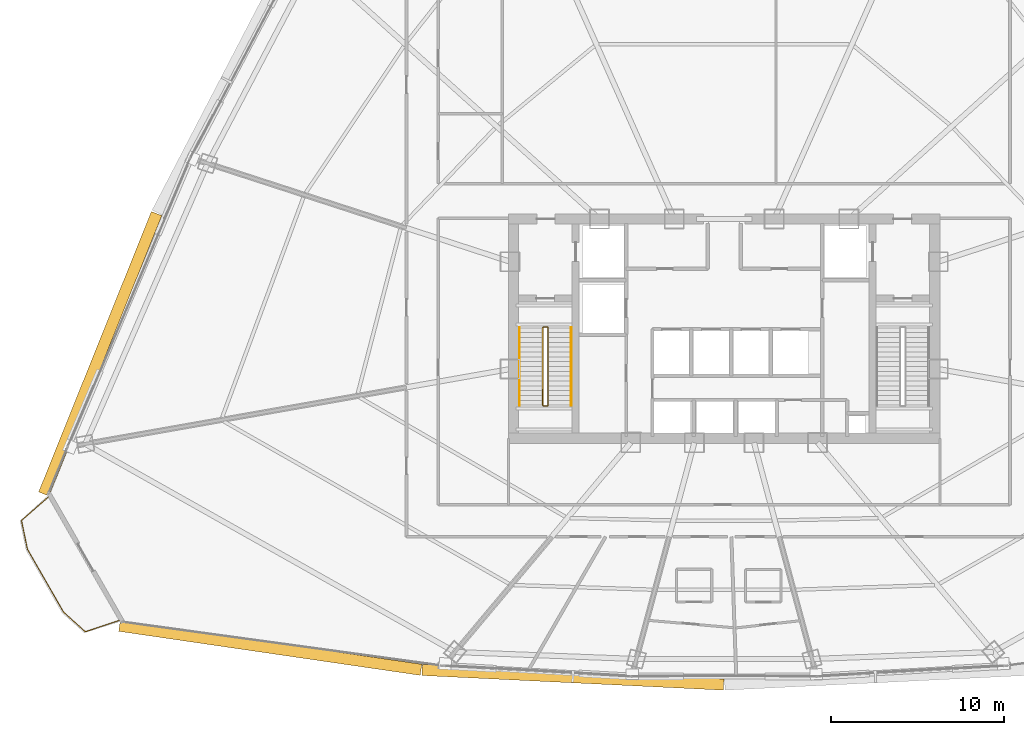
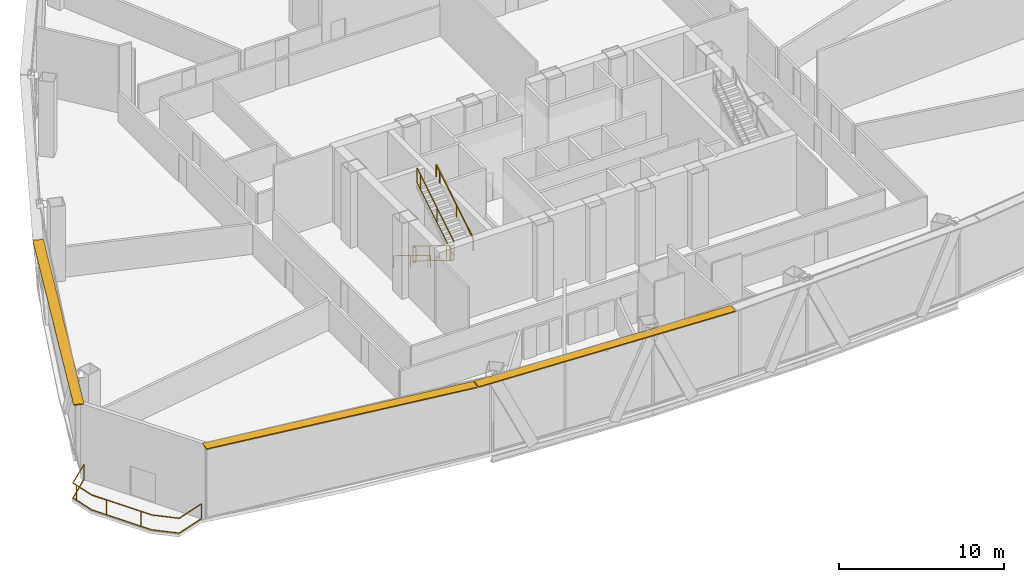
# One storey, part 37 of 40: 7 railings, 3 shading devices.
"""IFC4 building model written with IfcOpenShell, lengths in metres."""

from ifc_helpers import new_model, si_unit, direction, frame, origin, origin_2d, place, context, subcontext, project, spatial, rectangle, extrude, source, transform, mapped, material, layer, layer_set, type_object, element, save


model = new_model("IFC4")

# Units and contexts
model_context = context("Model", 3, precision=1e-05, world=origin(), true_north=direction((0.0, 1.0)))
body_context = subcontext(model_context, "Body", "Model", "MODEL_VIEW")
ifc_project = project(units=[si_unit("LENGTHUNIT", "METRE"), si_unit("AREAUNIT", "SQUARE_METRE"), si_unit("VOLUMEUNIT", "CUBIC_METRE"), si_unit("PLANEANGLEUNIT", "RADIAN"), si_unit("MASSUNIT", "GRAM", prefix="KILO"), si_unit("THERMODYNAMICTEMPERATUREUNIT", "KELVIN"), si_unit("POWERUNIT", "WATT")], contexts=[model_context])

# Site, building, storey
site_placement = place(None, origin())
site = spatial("IfcSite", under=ifc_project, at=site_placement, CompositionType="ELEMENT")
building_placement = place(site_placement, origin())
building = spatial("IfcBuilding", under=site, at=building_placement, Name="Yunzhuo Pagoda Commons", CompositionType="ELEMENT")
storey_placement = place(building_placement, frame((0.0, 0.0, 170.31005859375)))
storey = spatial("IfcBuildingStorey", under=building, at=storey_placement, Name="L43", CompositionType="ELEMENT", Elevation=170.31005859375)

# Railings
ifc_material = material(Name="Anodized aluminium 6063-T6", Category="aluminium")
railing_type_1 = type_object("IfcRailingType", Name="GR-ST1 Stair Well Guardrail 1150", PredefinedType="GUARDRAIL", material=ifc_material)
railing_1_placement = place(storey_placement, frame((37.5, 33.89990234375, 0.172119140625)))
element("IfcRailing", 1, at=railing_1_placement, inside=storey, type_object=railing_type_1, Name="L43 ST1 stair guard 1", PredefinedType="GUARDRAIL", context=body_context, shape_type="SweptSolid", body=[
    extrude(rectangle(XDim=0.048095703125, YDim=0.048095703125, at=origin_2d()), frame((0.0, 0.0, 1.1259765625), z_axis=(0.0, -0.851996104429, 0.523548123899), x_axis=(1.0, 0.0, 0.0)), (0.0, 0.0, 1.0), 5.25830078125),
    extrude(rectangle(XDim=0.048095703125, YDim=0.048095703125, at=origin_2d()), frame((0.0, 0.0, 0.02392578125), z_axis=(0.0, -0.851996104429, 0.523548123899), x_axis=(1.0, 0.0, 0.0)), (0.0, 0.0, 1.0), 5.25830078125),
    extrude(rectangle(XDim=0.0419921875, YDim=0.0419921875, at=origin_2d()), origin(), (0.0, 0.0, 1.0), 1.101806640625),
    extrude(rectangle(XDim=0.0419921875, YDim=0.0419921875, at=origin_2d()), frame((0.0, -2.044677734375, 1.256591796875)), (0.0, 0.0, 1.0), 1.101806640625),
    extrude(rectangle(XDim=0.0419921875, YDim=0.0419921875, at=origin_2d()), frame((0.0, -4.089599609375, 2.512939453125)), (0.0, 0.0, 1.0), 1.101806640625),
    extrude(rectangle(XDim=0.0419921875, YDim=0.0419921875, at=origin_2d()), frame((0.0, -4.47998046875, 2.7529296875)), (0.0, 0.0, 1.0), 1.101806640625),
])
railing_2_placement = place(storey_placement, frame((37.550048828125, 29.3701171875, 2.925048828125)))
element("IfcRailing", 2, at=railing_2_placement, inside=storey, type_object=railing_type_1, Name="L43 ST1 stair guard 2", PredefinedType="GUARDRAIL", context=body_context, shape_type="SweptSolid", body=[
    extrude(rectangle(XDim=0.048095703125, YDim=0.048095703125, at=origin_2d()), frame((0.0, 0.0, 1.1259765625), z_axis=(1.0, 0.0, 0.0), x_axis=(0.0, 1.0, 0.0)), (0.0, 0.0, 1.0), 0.199951171875),
    extrude(rectangle(XDim=0.048095703125, YDim=0.048095703125, at=origin_2d()), frame((0.0, 0.0, 0.02392578125), z_axis=(1.0, 0.0, 0.0), x_axis=(0.0, 1.0, 0.0)), (0.0, 0.0, 1.0), 0.199951171875),
    extrude(rectangle(XDim=0.0419921875, YDim=0.0419921875, at=origin_2d()), origin(), (0.0, 0.0, 1.0), 1.101806640625),
    extrude(rectangle(XDim=0.0419921875, YDim=0.0419921875, at=origin_2d()), frame((0.199951171875, 0.0, 0.0)), (0.0, 0.0, 1.0), 1.101806640625),
])
railing_3_placement = place(storey_placement, frame((37.800048828125, 29.419921875, 3.096923828125)))
element("IfcRailing", 3, at=railing_3_placement, inside=storey, type_object=railing_type_1, Name="L43 ST1 stair guard 3", PredefinedType="GUARDRAIL", context=body_context, shape_type="SweptSolid", body=[
    extrude(rectangle(XDim=0.048095703125, YDim=0.048095703125, at=origin_2d()), frame((0.0, 0.0, 1.1259765625), z_axis=(0.0, 0.851996104429, 0.523548123899), x_axis=(-1.0, 0.0, 0.0)), (0.0, 0.0, 1.0), 5.25830078125),
    extrude(rectangle(XDim=0.048095703125, YDim=0.048095703125, at=origin_2d()), frame((0.0, 0.0, 0.02392578125), z_axis=(0.0, 0.851996104429, 0.523548123899), x_axis=(-1.0, 0.0, 0.0)), (0.0, 0.0, 1.0), 5.25830078125),
    extrude(rectangle(XDim=0.0419921875, YDim=0.0419921875, at=origin_2d()), origin(), (0.0, 0.0, 1.0), 1.101806640625),
    extrude(rectangle(XDim=0.0419921875, YDim=0.0419921875, at=origin_2d()), frame((0.0, 2.044677734375, 1.256591796875)), (0.0, 0.0, 1.0), 1.101806640625),
    extrude(rectangle(XDim=0.0419921875, YDim=0.0419921875, at=origin_2d()), frame((0.0, 4.089599609375, 2.512939453125)), (0.0, 0.0, 1.0), 1.101806640625),
    extrude(rectangle(XDim=0.0419921875, YDim=0.0419921875, at=origin_2d()), frame((0.0, 4.47998046875, 2.7529296875)), (0.0, 0.0, 1.0), 1.101806640625),
])
railing_4_placement = place(storey_placement, frame((37.550048828125, 33.949951171875, 0.0)))
element("IfcRailing", 4, at=railing_4_placement, inside=storey, type_object=railing_type_1, Name="L43 ST1 stair guard 4", PredefinedType="GUARDRAIL", context=body_context, shape_type="SweptSolid", body=[
    extrude(rectangle(XDim=0.048095703125, YDim=0.048095703125, at=origin_2d()), frame((0.0, 0.0, 1.1259765625), z_axis=(1.0, 0.0, 0.0), x_axis=(0.0, 1.0, 0.0)), (0.0, 0.0, 1.0), 0.199951171875),
    extrude(rectangle(XDim=0.048095703125, YDim=0.048095703125, at=origin_2d()), frame((0.0, 0.0, 0.02392578125), z_axis=(1.0, 0.0, 0.0), x_axis=(0.0, 1.0, 0.0)), (0.0, 0.0, 1.0), 0.199951171875),
    extrude(rectangle(XDim=0.0419921875, YDim=0.0419921875, at=origin_2d()), origin(), (0.0, 0.0, 1.0), 1.101806640625),
    extrude(rectangle(XDim=0.0419921875, YDim=0.0419921875, at=origin_2d()), frame((0.199951171875, 0.0, 0.0)), (0.0, 0.0, 1.0), 1.101806640625),
])
railing_type_2 = type_object("IfcRailingType", Name="HR-ST1 Stair Handrail 900", PredefinedType="HANDRAIL", material=ifc_material)
railing_5_placement = place(storey_placement, frame((36.14990234375, 33.89990234375, 0.172119140625)))
element("IfcRailing", 5, at=railing_5_placement, inside=storey, type_object=railing_type_2, Name="L43 ST1 stair handrail 1", PredefinedType="HANDRAIL", context=body_context, shape_type="SweptSolid", body=[
    extrude(rectangle(XDim=0.048095703125, YDim=0.048095703125, at=origin_2d()), frame((0.0, 0.0, 0.8759765625), z_axis=(0.0, -0.851996104429, 0.523548123899), x_axis=(1.0, 0.0, 0.0)), (0.0, 0.0, 1.0), 5.25830078125),
    extrude(rectangle(XDim=0.0419921875, YDim=0.0419921875, at=origin_2d()), origin(), (0.0, 0.0, 1.0), 0.851806640625),
    extrude(rectangle(XDim=0.0419921875, YDim=0.0419921875, at=origin_2d()), frame((0.0, -2.044677734375, 1.256591796875)), (0.0, 0.0, 1.0), 0.851806640625),
    extrude(rectangle(XDim=0.0419921875, YDim=0.0419921875, at=origin_2d()), frame((0.0, -4.089599609375, 2.512939453125)), (0.0, 0.0, 1.0), 0.851806640625),
    extrude(rectangle(XDim=0.0419921875, YDim=0.0419921875, at=origin_2d()), frame((0.0, -4.47998046875, 2.7529296875)), (0.0, 0.0, 1.0), 0.851806640625),
])
railing_6_placement = place(storey_placement, frame((39.14990234375, 29.419921875, 3.096923828125)))
element("IfcRailing", 6, at=railing_6_placement, inside=storey, type_object=railing_type_2, Name="L43 ST1 stair handrail 2", PredefinedType="HANDRAIL", context=body_context, shape_type="SweptSolid", body=[
    extrude(rectangle(XDim=0.048095703125, YDim=0.048095703125, at=origin_2d()), frame((0.0, 0.0, 0.8759765625), z_axis=(0.0, 0.851996104429, 0.523548123899), x_axis=(-1.0, 0.0, 0.0)), (0.0, 0.0, 1.0), 5.25830078125),
    extrude(rectangle(XDim=0.0419921875, YDim=0.0419921875, at=origin_2d()), origin(), (0.0, 0.0, 1.0), 0.851806640625),
    extrude(rectangle(XDim=0.0419921875, YDim=0.0419921875, at=origin_2d()), frame((0.0, 2.044677734375, 1.256591796875)), (0.0, 0.0, 1.0), 0.851806640625),
    extrude(rectangle(XDim=0.0419921875, YDim=0.0419921875, at=origin_2d()), frame((0.0, 4.089599609375, 2.512939453125)), (0.0, 0.0, 1.0), 0.851806640625),
    extrude(rectangle(XDim=0.0419921875, YDim=0.0419921875, at=origin_2d()), frame((0.0, 4.47998046875, 2.7529296875)), (0.0, 0.0, 1.0), 0.851806640625),
])
railing_type_3 = type_object("IfcRailingType", Name="RL-BAL1 Exterior Terrace & Balcony Balustrade 1150", PredefinedType="BALUSTRADE", material=ifc_material)
railing_7_placement = place(storey_placement, frame((8.85791015625, 24.09765625, 0.0)))
element("IfcRailing", 7, at=railing_7_placement, inside=storey, type_object=railing_type_3, Name="L43 corner balcony balustrade V1", PredefinedType="BALUSTRADE", context=body_context, shape_type="SweptSolid", body=[
    extrude(rectangle(XDim=0.048095703125, YDim=0.048095703125, at=origin_2d()), frame((0.0, 0.0, 1.1259765625), z_axis=(-0.753992555518, -0.656882962348, 0.0), x_axis=(0.656882962348, -0.753992555518, 0.0)), (0.0, 0.0, 1.0), 2.05908203125),
    extrude(rectangle(XDim=0.048095703125, YDim=0.048095703125, at=origin_2d()), frame((0.0, 0.0, 0.02392578125), z_axis=(-0.753992555518, -0.656882962348, 0.0), x_axis=(0.656882962348, -0.753992555518, 0.0)), (0.0, 0.0, 1.0), 2.05908203125),
    extrude(rectangle(XDim=0.048095703125, YDim=0.048095703125, at=origin_2d()), frame((-1.552490234375, -1.3525390625, 1.1259765625), z_axis=(0.203359032511, -0.97910423546, 0.0), x_axis=(0.97910423546, 0.203359032511, 0.0)), (0.0, 0.0, 1.0), 1.70361328125),
    extrude(rectangle(XDim=0.048095703125, YDim=0.048095703125, at=origin_2d()), frame((-1.552490234375, -1.3525390625, 0.02392578125), z_axis=(0.203359032511, -0.97910423546, 0.0), x_axis=(0.97910423546, 0.203359032511, 0.0)), (0.0, 0.0, 1.0), 1.70361328125),
    extrude(rectangle(XDim=0.048095703125, YDim=0.048095703125, at=origin_2d()), frame((-1.2060546875, -3.0205078125, 1.1259765625), z_axis=(0.497929078037, -0.867217754226, 0.0), x_axis=(0.867217754226, 0.497929078037, 0.0)), (0.0, 0.0, 1.0), 4.197998046875),
    extrude(rectangle(XDim=0.048095703125, YDim=0.048095703125, at=origin_2d()), frame((-1.2060546875, -3.0205078125, 0.02392578125), z_axis=(0.497929078037, -0.867217754226, 0.0), x_axis=(0.867217754226, 0.497929078037, 0.0)), (0.0, 0.0, 1.0), 4.197998046875),
    extrude(rectangle(XDim=0.048095703125, YDim=0.048095703125, at=origin_2d()), frame((0.88427734375, -6.6611328125, 1.1259765625), z_axis=(0.743044693611, -0.669241797332, 0.0), x_axis=(0.669241797332, 0.743044693611, 0.0)), (0.0, 0.0, 1.0), 1.70361328125),
    extrude(rectangle(XDim=0.048095703125, YDim=0.048095703125, at=origin_2d()), frame((0.88427734375, -6.6611328125, 0.02392578125), z_axis=(0.743044693611, -0.669241797332, 0.0), x_axis=(0.669241797332, 0.743044693611, 0.0)), (0.0, 0.0, 1.0), 1.70361328125),
    extrude(rectangle(XDim=0.048095703125, YDim=0.048095703125, at=origin_2d()), frame((2.150146484375, -7.80126953125, 1.1259765625), z_axis=(0.947419062147, 0.319995501031, 0.0), x_axis=(-0.319995501031, 0.947419062147, 0.0)), (0.0, 0.0, 1.0), 2.05908203125),
    extrude(rectangle(XDim=0.048095703125, YDim=0.048095703125, at=origin_2d()), frame((2.150146484375, -7.80126953125, 0.02392578125), z_axis=(0.947419062147, 0.319995501031, 0.0), x_axis=(-0.319995501031, 0.947419062147, 0.0)), (0.0, 0.0, 1.0), 2.05908203125),
    extrude(rectangle(XDim=0.0419921875, YDim=0.0419921875, at=origin_2d()), origin(), (0.0, 0.0, 1.0), 1.101806640625),
    extrude(rectangle(XDim=0.0419921875, YDim=0.0419921875, at=origin_2d()), frame((-1.483154296875, -1.686279296875, 0.0)), (0.0, 0.0, 1.0), 1.101806640625),
    extrude(rectangle(XDim=0.0419921875, YDim=0.0419921875, at=origin_2d()), frame((-0.689453125, -3.920166015625, 0.0)), (0.0, 0.0, 1.0), 1.101806640625),
    extrude(rectangle(XDim=0.0419921875, YDim=0.0419921875, at=origin_2d()), frame((0.505615234375, -6.00146484375, 0.0)), (0.0, 0.0, 1.0), 1.101806640625),
    extrude(rectangle(XDim=0.0419921875, YDim=0.0419921875, at=origin_2d()), frame((4.10107421875, -7.142333984375, 0.0)), (0.0, 0.0, 1.0), 1.101806640625),
])

# Shading devices
ifc_layer = layer(ifc_material, 0.080078125)
ifc_layer_set = layer_set([ifc_layer], Name="Anodized aluminium 6063-T6")
shading_device_type = type_object("IfcShadingDeviceType", Name="SH-SUN1 Pagoda Horizontal Sunshade Eave 650", PredefinedType="USERDEFINED", material=ifc_layer_set)
shared_shape_1 = source(origin(), body_context, "Body", "SweptSolid", [
    extrude(rectangle(XDim=17.64599609375, YDim=0.64990234375, at=origin_2d()), origin(), (0.0, 0.0, 1.0), 0.080078125),
])
shading_device_1_placement = place(storey_placement, frame((21.71435546875, 15.37109375, 5.489990234375), z_axis=(0.0, 0.0, 1.0), x_axis=(0.989510666697, -0.144459823108, 0.0)))
element("IfcShadingDevice", 8, at=shading_device_1_placement, inside=storey, type_object=shading_device_type, Name="L43 horizontal pagoda sunshade eave F1.1", ObjectType="SUNSHADE", PredefinedType="USERDEFINED", context=body_context, shape_type="MappedRepresentation", body=[
    mapped(shared_shape_1, transform((0.0, 0.0, 0.0), scale=1.0)),
])
shared_shape_2 = source(origin(), body_context, "Body", "SweptSolid", [
    extrude(rectangle(XDim=17.481201171875, YDim=0.64990234375, at=origin_2d()), origin(), (0.0, 0.0, 1.0), 0.080078125),
])
shading_device_2_placement = place(storey_placement, frame((39.238037109375, 13.665771484375, 5.489990234375), z_axis=(0.0, 0.0, 1.0), x_axis=(0.998818043775, -0.04860571396, 0.0)))
element("IfcShadingDevice", 9, at=shading_device_2_placement, inside=storey, type_object=shading_device_type, Name="L43 horizontal pagoda sunshade eave F1.2", ObjectType="SUNSHADE", PredefinedType="USERDEFINED", context=body_context, shape_type="MappedRepresentation", body=[
    mapped(shared_shape_2, transform((0.0, 0.0, 0.0), scale=1.0)),
])
shared_shape_3 = source(origin(), body_context, "Body", "SweptSolid", [
    extrude(rectangle(XDim=17.50439453125, YDim=0.64990234375, at=origin_2d()), origin(), (0.0, 0.0, 1.0), 0.080078125),
])
shading_device_3_placement = place(storey_placement, frame((11.867431640625, 32.395751953125, 5.489990234375), z_axis=(0.0, 0.0, 1.0), x_axis=(-0.372987782576, -0.927836253899, 0.0)))
element("IfcShadingDevice", 10, at=shading_device_3_placement, inside=storey, type_object=shading_device_type, Name="L43 horizontal pagoda sunshade eave F3.4", ObjectType="SUNSHADE", PredefinedType="USERDEFINED", context=body_context, shape_type="MappedRepresentation", body=[
    mapped(shared_shape_3, transform((0.0, 0.0, 0.0), scale=1.0)),
])

save(model, "model.ifc")
